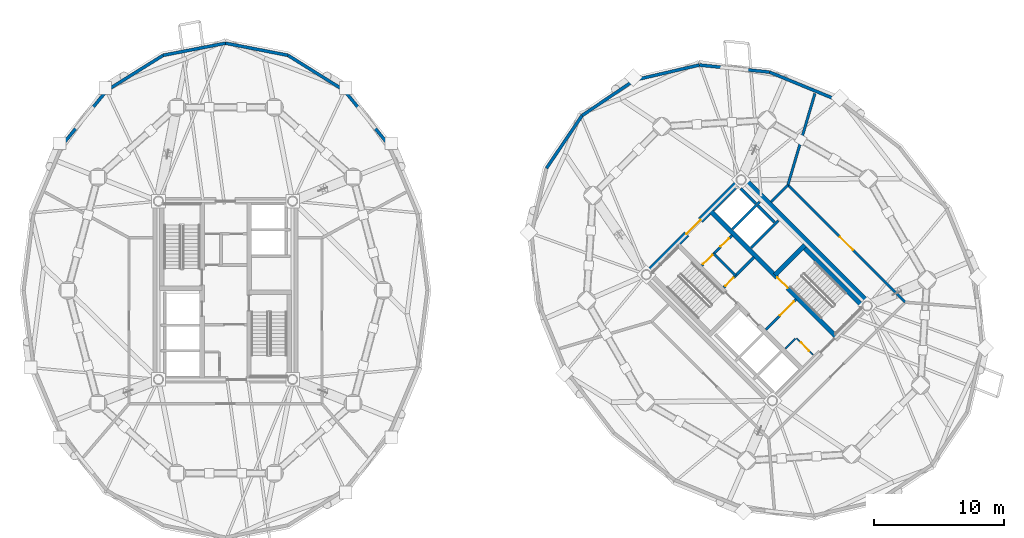
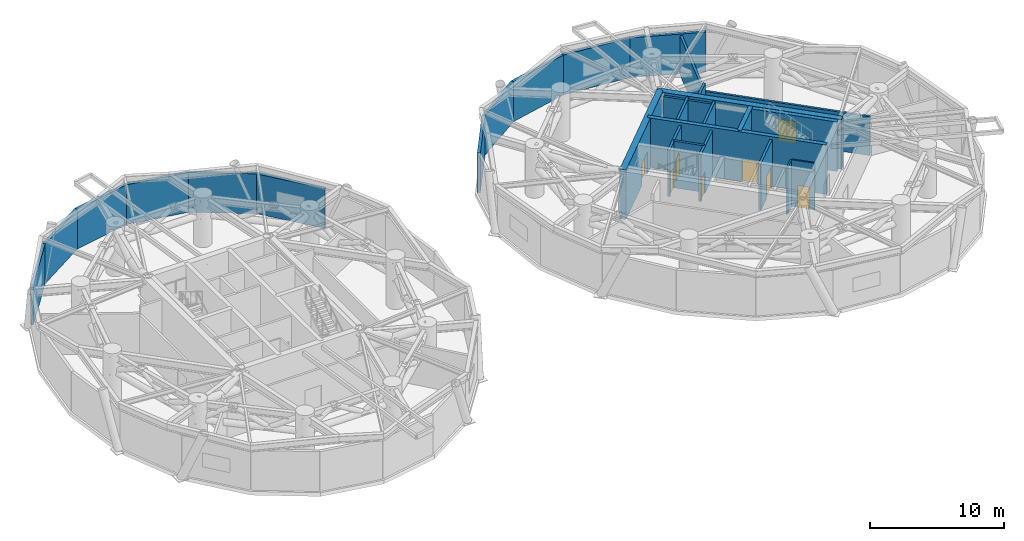
# One storey, part 12 of 16: 29 walls, 8 doors, 8 openings.
"""IFC4 building model written with IfcOpenShell, lengths in metres."""

from ifc_helpers import new_model, si_unit, direction, frame, frame_2d, origin, place, context, subcontext, project, spatial, rectangle, extrude, source, transform, mapped, material, layer, layer_set, type_object, element, fill, save


model = new_model("IFC4")

# Units and contexts
model_context = context("Model", 3, precision=1e-05, world=origin(), true_north=direction((0.0, 1.0)))
body_context = subcontext(model_context, "Body", "Model", "MODEL_VIEW")
ifc_project = project(units=[si_unit("LENGTHUNIT", "METRE"), si_unit("AREAUNIT", "SQUARE_METRE"), si_unit("VOLUMEUNIT", "CUBIC_METRE"), si_unit("PLANEANGLEUNIT", "RADIAN"), si_unit("MASSUNIT", "GRAM", prefix="KILO")], contexts=[model_context])

# Site, building, storey
site_placement = place(None, origin())
site = spatial("IfcSite", under=ifc_project, at=site_placement, CompositionType="ELEMENT")
building_placement = place(site_placement, origin())
building = spatial("IfcBuilding", under=site, at=building_placement, Name="Cununo Teusaquillo Station Towers", CompositionType="ELEMENT")
storey_placement = place(building_placement, frame((0.0, 0.0, 65.64990234375)))
storey = spatial("IfcBuildingStorey", under=building, at=storey_placement, Name="L20", CompositionType="ELEMENT", Elevation=65.64990234375)

# Walls
ifc_material_1 = material(Name="Concrete C50/60", Category="concrete")
ifc_layer_1 = layer(ifc_material_1, 0.199951171875)
ifc_layer_set_1 = layer_set([ifc_layer_1], Name="Concrete C50/60")
wall_type_1 = type_object("IfcWallType", Name="WL-CORE-200", PredefinedType="SHEAR", material=ifc_layer_set_1)
wall_1_placement = place(storey_placement, frame((57.0615234375, 27.781005859375, 0.0), z_axis=(0.0, 0.0, 1.0), x_axis=(0.707106781187, 0.707106781187, 0.0)))
element("IfcWall", 1, at=wall_1_placement, inside=storey, type_object=wall_type_1, Name="L20 Tower B Low-Rise Lift Hoistway South Shear Wall", PredefinedType="SHEAR", context=body_context, shape_type="SweptSolid", body=[
    extrude(rectangle(XDim=2.969970703125, YDim=0.199951171875, at=frame_2d((1.48486328125, 0.0))), origin(), (0.0, 0.0, 1.0), 4.5),
])
wall_2_placement = place(storey_placement, frame((55.615478515625, 29.22705078125, 0.0), z_axis=(0.0, 0.0, 1.0), x_axis=(0.707147878904, 0.70706568108, 0.0)))
element("IfcWall", 2, at=wall_2_placement, inside=storey, type_object=wall_type_1, Name="L20 Tower B Low-Rise Lift Hoistway Divider Shear Wall", PredefinedType="SHEAR", context=body_context, shape_type="SweptSolid", body=[
    extrude(rectangle(XDim=2.97021484375, YDim=0.199951171875, at=frame_2d((1.485107421875, 0.0))), origin(), (0.0, 0.0, 1.0), 4.5),
])
wall_3_placement = place(storey_placement, frame((58.86474609375, 29.75390625, 0.0), z_axis=(0.0, 0.0, 1.0), x_axis=(-0.707174411312, 0.707039144592, 0.0)))
element("IfcWall", 3, at=wall_3_placement, inside=storey, type_object=wall_type_1, Name="L20 Tower B Low-Rise Lift 1 Shaft Rear Shear Wall", PredefinedType="SHEAR", context=body_context, shape_type="SweptSolid", body=[
    extrude(rectangle(XDim=1.804931640625, YDim=0.199951171875, at=frame_2d((0.90234375, 0.0))), origin(), (0.0, 0.0, 1.0), 4.5),
])
wall_4_placement = place(storey_placement, frame((57.418701171875, 31.19970703125, 0.0), z_axis=(0.0, 0.0, 1.0), x_axis=(-0.707032117043, 0.707181437447, 0.0)))
element("IfcWall", 4, at=wall_4_placement, inside=storey, type_object=wall_type_1, Name="L20 Tower B Low-Rise Lift 2 Shaft Rear Shear Wall", PredefinedType="SHEAR", context=body_context, shape_type="SweptSolid", body=[
    extrude(rectangle(XDim=1.635009765625, YDim=0.199951171875, at=frame_2d((0.8173828125, 0.0))), origin(), (0.0, 0.0, 1.0), 4.5),
])

# Wall, opening, door
ifc_material_2 = material(Name="Concrete C50/60", Category="concrete")
ifc_layer_2 = layer(ifc_material_2, 0.35009765625)
ifc_layer_set_2 = layer_set([ifc_layer_2], Name="Concrete C50/60")
wall_type_2 = type_object("IfcWallType", Name="WL-CORE-350", PredefinedType="SHEAR", material=ifc_layer_set_2)
wall_5_placement = place(storey_placement, frame((63.662353515625, 20.904296875, 0.0), z_axis=(0.0, 0.0, 1.0), x_axis=(-0.707106781187, 0.707106781187, 0.0)))
wall_5 = element("IfcWall", 5, at=wall_5_placement, inside=storey, type_object=wall_type_2, Name="L20 Tower B Core Shear Wall IE", PredefinedType="SHEAR", context=body_context, shape_type="SweptSolid", body=[
    extrude(rectangle(XDim=13.800048828125, YDim=0.35009765625, at=frame_2d((6.89990234375, 0.0))), origin(), (0.0, 0.0, 1.0), 4.5),
])
shared_shape_1 = source(origin(), body_context, "Body", "SweptSolid", [
    extrude(rectangle(XDim=1.14990234375, YDim=2.02001953125, at=frame_2d((0.574951171875, 1.010009765625))), frame((0.0, 0.18505859375, 0.0), z_axis=(0.0, -1.0, 0.0), x_axis=(1.0, 0.0, 0.0)), (0.0, 0.0, 1.0), 0.3701171875),
])
opening_1_placement = place(wall_5_placement, frame((5.330078125, 0.0, 0.0)))
opening_1 = element("IfcOpeningElement", 6, at=opening_1_placement, cuts=wall_5, Name="Opening D-ST1", PredefinedType="OPENING", context=body_context, shape_type="MappedRepresentation", body=[
    mapped(shared_shape_1, transform((0.0, 0.0, 0.0), x_axis=(1.0, 0.0, 0.0), y_axis=(0.0, 1.0, 0.0), z_axis=(0.0, 0.0, 1.0), scale=1.0)),
])
ifc_material_3 = material(Name="Galvanised fire-rated hollow steel door assembly", Category="steel")
door_type_1 = type_object("IfcDoorType", Name="DR-STAIR-1150", OperationType="NOTDEFINED", PredefinedType="DOOR", material=ifc_material_3)
shared_shape_2 = source(origin(), body_context, "Body", "SweptSolid", [
    extrude(rectangle(XDim=1.14990234375, YDim=2.02001953125, at=frame_2d((0.574951171875, 1.010009765625))), frame((0.0, 0.02490234375, 0.0), z_axis=(0.0, -1.0, 0.0), x_axis=(1.0, 0.0, 0.0)), (0.0, 0.0, 1.0), 0.050048828125),
])
door_1_placement = place(opening_1_placement, origin())
door_1 = element("IfcDoor", 7, at=door_1_placement, inside=storey, type_object=door_type_1, Name="L20 Tower B Exit Stair 2 Fire Door", OperationType="SINGLE_SWING_LEFT", OverallHeight=2.02001953125, OverallWidth=1.14990234375, PredefinedType="DOOR", context=body_context, shape_type="MappedRepresentation", body=[
    mapped(shared_shape_2, transform((0.0, 0.0, 0.0), x_axis=(1.0, 0.0, 0.0), y_axis=(0.0, 1.0, 0.0), z_axis=(0.0, 0.0, 1.0), scale=1.0)),
])
fill(opening_1, door_1)

# Walls
wall_6_placement = place(storey_placement, frame((65.847412109375, 23.08935546875, 0.0), z_axis=(0.0, 0.0, 1.0), x_axis=(-0.707106781187, 0.707106781187, 0.0)))
element("IfcWall", 8, at=wall_6_placement, inside=storey, type_object=wall_type_2, Name="L20 Tower B Core Shear Wall ST2E", PredefinedType="SHEAR", context=body_context, shape_type="SweptSolid", body=[
    extrude(rectangle(XDim=6.7451171875, YDim=0.35009765625, at=frame_2d((3.37255859375, 0.0))), origin(), (0.0, 0.0, 1.0), 4.5),
])
wall_7_placement = place(storey_placement, frame((58.89306640625, 25.673828125, 0.0), z_axis=(0.0, 0.0, 1.0), x_axis=(0.707106781187, 0.707106781187, 0.0)))
element("IfcWall", 9, at=wall_7_placement, inside=storey, type_object=wall_type_2, Name="L20 Tower B Core Shear Wall ST2N", PredefinedType="SHEAR", context=body_context, shape_type="SweptSolid", body=[
    extrude(rectangle(XDim=3.284912109375, YDim=0.35009765625, at=frame_2d((1.642578125, 0.0))), origin(), (0.0, 0.0, 1.0), 4.5),
])
ifc_material_4 = material(Name="Concrete C60/75", Category="concrete")
ifc_layer_3 = layer(ifc_material_4, 0.5)
ifc_layer_set_3 = layer_set([ifc_layer_3], Name="Concrete C60/75")
wall_type_3 = type_object("IfcWallType", Name="WL-CORE-500", PredefinedType="SHEAR", material=ifc_layer_set_3)
wall_8_placement = place(storey_placement, frame((66.3388671875, 23.227294921875, 0.0), z_axis=(0.0, 0.0, 1.0), x_axis=(-0.707106781187, 0.707106781187, 0.0)))
element("IfcWall", 10, at=wall_8_placement, inside=storey, type_object=wall_type_3, Name="L20 Tower B Core Shear Wall E", PredefinedType="SHEAR", context=body_context, shape_type="SweptSolid", body=[
    extrude(rectangle(XDim=14.2998046875, YDim=0.5, at=frame_2d((7.14990234375, 0.0))), origin(), (0.0, 0.0, 1.0), 4.5),
])

# Wall, opening, door
wall_9_placement = place(storey_placement, frame((48.837890625, 25.595947265625, 0.0), z_axis=(0.0, 0.0, 1.0), x_axis=(0.707106781187, 0.707106781187, 0.0)))
wall_9 = element("IfcWall", 11, at=wall_9_placement, inside=storey, type_object=wall_type_3, Name="L20 Tower B Core Shear Wall N", PredefinedType="SHEAR", context=body_context, shape_type="SweptSolid", body=[
    extrude(rectangle(XDim=10.7001953125, YDim=0.5, at=frame_2d((5.35009765625, 0.0))), origin(), (0.0, 0.0, 1.0), 4.5),
])
shared_shape_3 = source(origin(), body_context, "Body", "SweptSolid", [
    extrude(rectangle(XDim=1.5, YDim=2.02001953125, at=frame_2d((0.75, 1.010009765625))), frame((0.0, 0.260009765625, 0.0), z_axis=(0.0, -1.0, 0.0), x_axis=(1.0, 0.0, 0.0)), (0.0, 0.0, 1.0), 0.52001953125),
])
opening_2_placement = place(wall_9_placement, frame((4.60009765625, 0.0, 0.0)))
opening_2 = element("IfcOpeningElement", 12, at=opening_2_placement, cuts=wall_9, Name="Opening D-LB1", PredefinedType="OPENING", context=body_context, shape_type="MappedRepresentation", body=[
    mapped(shared_shape_3, transform((0.0, 0.0, 0.0), x_axis=(1.0, 0.0, 0.0), y_axis=(0.0, 1.0, 0.0), z_axis=(0.0, 0.0, 1.0), scale=1.0)),
])
ifc_material_5 = material(Name="Galvanised fire-rated hollow steel door assembly", Category="steel")
door_type_2 = type_object("IfcDoorType", Name="DR-LOBBY-1500", OperationType="DOUBLE_DOOR_SINGLE_SWING", PredefinedType="DOOR", material=ifc_material_5)
shared_shape_4 = source(origin(), body_context, "Body", "SweptSolid", [
    extrude(rectangle(XDim=1.5, YDim=2.02001953125, at=frame_2d((0.75, 1.010009765625))), frame((0.0, 0.02490234375, 0.0), z_axis=(0.0, -1.0, 0.0), x_axis=(1.0, 0.0, 0.0)), (0.0, 0.0, 1.0), 0.050048828125),
])
door_2_placement = place(opening_2_placement, origin())
door_2 = element("IfcDoor", 13, at=door_2_placement, inside=storey, type_object=door_type_2, Name="L20 Tower B North Core Lift Lobby Door", OperationType="DOUBLE_DOOR_SINGLE_SWING", OverallHeight=2.02001953125, OverallWidth=1.5, PredefinedType="DOOR", context=body_context, shape_type="MappedRepresentation", body=[
    mapped(shared_shape_4, transform((0.0, 0.0, 0.0), x_axis=(1.0, 0.0, 0.0), y_axis=(0.0, 1.0, 0.0), z_axis=(0.0, 0.0, 1.0), scale=1.0)),
])
fill(opening_2, door_2)

# Walls
ifc_material_6 = material(Name="Precast concrete C40/50", Category="concrete")
ifc_layer_4 = layer(ifc_material_6, 0.239990234375)
ifc_layer_set_4 = layer_set([ifc_layer_4], Name="Precast concrete C40/50")
wall_type_4 = type_object("IfcWallType", Name="WL-EXT-240", PredefinedType="SOLIDWALL", material=ifc_layer_set_4)
wall_10_placement = place(storey_placement, frame((25.658203125, 39.927978515625, 0.0), z_axis=(0.0, 0.0, 1.0), x_axis=(0.632700781152, -0.77439635945, 0.0)))
element("IfcWall", 14, at=wall_10_placement, inside=storey, type_object=wall_type_4, Name="L20 Tower A Exterior Facade Wall C02", PredefinedType="SOLIDWALL", context=body_context, shape_type="SweptSolid", body=[
    extrude(rectangle(XDim=5.447998046875, YDim=0.239990234375, at=frame_2d((2.72412109375, 0.0))), origin(), (0.0, 0.0, 1.0), 3.6162109375),
])
wall_11_placement = place(storey_placement, frame((21.314697265625, 42.63671875, 0.0), z_axis=(0.0, 0.0, 1.0), x_axis=(0.848520380187, -0.529162701263, 0.0)))
element("IfcWall", 15, at=wall_11_placement, inside=storey, type_object=wall_type_4, Name="L20 Tower A Exterior Facade Wall C03", PredefinedType="SOLIDWALL", context=body_context, shape_type="SweptSolid", body=[
    extrude(rectangle(XDim=5.118896484375, YDim=0.239990234375, at=frame_2d((2.5595703125, 0.0))), origin(), (0.0, 0.0, 1.0), 3.6162109375),
])
for number, where, z_axis, x_axis, name in (
    (16, (16.5, 43.570068359375, 0.0), (0.0, 0.0, 1.0), (0.981723785992, -0.190311344954, 0.0), "L20 Tower A Exterior Facade Wall C04"),
    (17, (11.685302734375, 42.63671875, 0.0), (0.0, 0.0, 1.0), (0.981723785992, 0.190311344954, 0.0), "L20 Tower A Exterior Facade Wall C05"),
):
    element("IfcWall", number, at=place(storey_placement, frame(where, z_axis=z_axis, x_axis=x_axis)), inside=storey, type_object=wall_type_4, Name=name, PredefinedType="SOLIDWALL", context=body_context, shape_type="SweptSolid", body=[
        extrude(rectangle(XDim=4.904296875, YDim=0.239990234375, at=frame_2d((2.4521484375, 0.0))), origin(), (0.0, 0.0, 1.0), 3.6162109375),
    ])
wall_12_placement = place(storey_placement, frame((7.341796875, 39.927978515625, 0.0), z_axis=(0.0, 0.0, 1.0), x_axis=(0.848520380187, 0.529162701263, 0.0)))
element("IfcWall", 18, at=wall_12_placement, inside=storey, type_object=wall_type_4, Name="L20 Tower A Exterior Facade Wall C06", PredefinedType="SOLIDWALL", context=body_context, shape_type="SweptSolid", body=[
    extrude(rectangle(XDim=5.118896484375, YDim=0.239990234375, at=frame_2d((2.5595703125, 0.0))), origin(), (0.0, 0.0, 1.0), 3.6162109375),
])
wall_13_placement = place(storey_placement, frame((3.894775390625, 35.708984375, 0.0), z_axis=(0.0, 0.0, 1.0), x_axis=(0.632700781152, 0.77439635945, 0.0)))
element("IfcWall", 19, at=wall_13_placement, inside=storey, type_object=wall_type_4, Name="L20 Tower A Exterior Facade Wall C07", PredefinedType="SOLIDWALL", context=body_context, shape_type="SweptSolid", body=[
    extrude(rectangle(XDim=5.447998046875, YDim=0.239990234375, at=frame_2d((2.72412109375, 0.0))), origin(), (0.0, 0.0, 1.0), 3.6162109375),
])
wall_14_placement = place(storey_placement, frame((58.4873046875, 41.33935546875, 0.0), z_axis=(0.0, 0.0, 1.0), x_axis=(0.924563909604, -0.381027003055, 0.0)))
element("IfcWall", 20, at=wall_14_placement, inside=storey, type_object=wall_type_4, Name="L20 Tower B Exterior Facade Wall C01", PredefinedType="SOLIDWALL", context=body_context, shape_type="SweptSolid", body=[
    extrude(rectangle(XDim=5.75830078125, YDim=0.239990234375, at=frame_2d((2.879150390625, 0.0))), origin(), (0.0, 0.0, 1.0), 3.6162109375),
])
wall_15_placement = place(storey_placement, frame((53.066650390625, 41.885009765625, 0.0), z_axis=(0.0, 0.0, 1.0), x_axis=(0.994971754311, -0.10015591906, 0.0)))
element("IfcWall", 21, at=wall_15_placement, inside=storey, type_object=wall_type_4, Name="L20 Tower B Exterior Facade Wall C02", PredefinedType="SOLIDWALL", context=body_context, shape_type="SweptSolid", body=[
    extrude(rectangle(XDim=5.447998046875, YDim=0.239990234375, at=frame_2d((2.72412109375, 0.0))), origin(), (0.0, 0.0, 1.0), 3.6162109375),
])
wall_16_placement = place(storey_placement, frame((48.080078125, 40.72900390625, 0.0), z_axis=(0.0, 0.0, 1.0), x_axis=(0.974165631126, 0.225834725257, 0.0)))
element("IfcWall", 22, at=wall_16_placement, inside=storey, type_object=wall_type_4, Name="L20 Tower B Exterior Facade Wall C03", PredefinedType="SOLIDWALL", context=body_context, shape_type="SweptSolid", body=[
    extrude(rectangle(XDim=5.118896484375, YDim=0.239990234375, at=frame_2d((2.5595703125, 0.0))), origin(), (0.0, 0.0, 1.0), 3.6162109375),
])
for number, where, z_axis, x_axis, name in (
    (23, (44.015380859375, 37.984619140625, 0.0), (0.0, 0.0, 1.0), (0.828781148131, 0.559572880421, 0.0), "L20 Tower B Exterior Facade Wall C04"),
    (24, (41.27099609375, 33.919921875, 0.0), (0.0, 0.0, 1.0), (0.559572880421, 0.828781148131, 0.0), "L20 Tower B Exterior Facade Wall C05"),
):
    element("IfcWall", number, at=place(storey_placement, frame(where, z_axis=z_axis, x_axis=x_axis)), inside=storey, type_object=wall_type_4, Name=name, PredefinedType="SOLIDWALL", context=body_context, shape_type="SweptSolid", body=[
        extrude(rectangle(XDim=4.904541015625, YDim=0.239990234375, at=frame_2d((2.4521484375, 0.0))), origin(), (0.0, 0.0, 1.0), 3.6162109375),
    ])

# Wall, opening, door
ifc_material_7 = material(Name="Fire-rated gypsum plasterboard partition assembly", Category="gypsum")
ifc_layer_5 = layer(ifc_material_7, 0.125)
ifc_layer_set_5 = layer_set([ifc_layer_5], Name="Fire-rated gypsum plasterboard partition assembly")
wall_type_5 = type_object("IfcWallType", Name="WL-PART-125", PredefinedType="PARTITIONING", material=ifc_layer_set_5)
wall_17_placement = place(storey_placement, frame((61.834716796875, 19.529052734375, 0.0), z_axis=(0.0, 0.0, 1.0), x_axis=(-0.707174592913, 0.707038962956, 0.0)))
wall_17 = element("IfcWall", 25, at=wall_17_placement, inside=storey, type_object=wall_type_5, Name="L20 Tower B South-West Compact Store East Wall", PredefinedType="PARTITIONING", context=body_context, shape_type="SweptSolid", body=[
    extrude(rectangle(XDim=1.800048828125, YDim=0.125, at=frame_2d((0.89990234375, 0.0))), origin(), (0.0, 0.0, 1.0), 4.2451171875),
])
shared_shape_5 = source(origin(), body_context, "Body", "SweptSolid", [
    extrude(rectangle(XDim=0.89990234375, YDim=2.0048828125, at=frame_2d((0.449951171875, 1.00244140625))), frame((0.0, 0.072509765625, 0.0), z_axis=(0.0, -1.0, 0.0), x_axis=(1.0, 0.0, 0.0)), (0.0, 0.0, 1.0), 0.14501953125),
])
opening_3_placement = place(wall_17_placement, frame((0.419921875, 0.0, 0.0)))
opening_3 = element("IfcOpeningElement", 26, at=opening_3_placement, cuts=wall_17, Name="Opening D-SR1", PredefinedType="OPENING", context=body_context, shape_type="MappedRepresentation", body=[
    mapped(shared_shape_5, transform((0.0, 0.0, 0.0), x_axis=(1.0, 0.0, 0.0), y_axis=(0.0, 1.0, 0.0), z_axis=(0.0, 0.0, 1.0), scale=1.0)),
])
ifc_material_8 = material(Name="Galvanised fire-rated hollow steel door assembly", Category="steel")
door_type_3 = type_object("IfcDoorType", Name="DR-STORE-900", OperationType="NOTDEFINED", PredefinedType="DOOR", material=ifc_material_8)
shared_shape_6 = source(origin(), body_context, "Body", "SweptSolid", [
    extrude(rectangle(XDim=0.89990234375, YDim=2.0048828125, at=frame_2d((0.449951171875, 1.00244140625))), frame((0.0, 0.02490234375, 0.0), z_axis=(0.0, -1.0, 0.0), x_axis=(1.0, 0.0, 0.0)), (0.0, 0.0, 1.0), 0.050048828125),
])
door_3_placement = place(opening_3_placement, origin())
door_3 = element("IfcDoor", 27, at=door_3_placement, inside=storey, type_object=door_type_3, Name="L20 Tower B Core Electrical & Comms Store Door", OperationType="SINGLE_SWING_RIGHT", OverallHeight=2.0048828125, OverallWidth=0.89990234375, PredefinedType="DOOR", context=body_context, shape_type="MappedRepresentation", body=[
    mapped(shared_shape_6, transform((0.0, 0.0, 0.0), x_axis=(1.0, 0.0, 0.0), y_axis=(0.0, 1.0, 0.0), z_axis=(0.0, 0.0, 1.0), scale=1.0)),
])
fill(opening_3, door_3)

# Wall
wall_18_placement = place(storey_placement, frame((59.713134765625, 19.99560546875, 0.0), z_axis=(0.0, 0.0, 1.0), x_axis=(0.707217726, 0.706995818963, 0.0)))
element("IfcWall", 28, at=wall_18_placement, inside=storey, type_object=wall_type_5, Name="L20 Tower B South-West Compact Store North Wall", PredefinedType="PARTITIONING", context=body_context, shape_type="SweptSolid", body=[
    extrude(rectangle(XDim=1.10009765625, YDim=0.125, at=frame_2d((0.550048828125, 0.0))), origin(), (0.0, 0.0, 1.0), 4.2451171875),
])

# Wall, opening, door
ifc_material_9 = material(Name="Fire-rated gypsum plasterboard partition assembly", Category="gypsum")
ifc_layer_6 = layer(ifc_material_9, 0.179931640625)
ifc_layer_set_6 = layer_set([ifc_layer_6], Name="Fire-rated gypsum plasterboard partition assembly")
wall_type_6 = type_object("IfcWallType", Name="WL-PART-180", PredefinedType="PARTITIONING", material=ifc_layer_set_6)
wall_19_placement = place(storey_placement, frame((68.955078125, 23.580810546875, 0.0), z_axis=(0.0, 0.0, 1.0), x_axis=(-0.707106781187, 0.707106781187, 0.0)))
wall_19 = element("IfcWall", 29, at=wall_19_placement, inside=storey, type_object=wall_type_6, Name="L20 Tower B Protected Plant Corridor Wall E", PredefinedType="PARTITIONING", context=body_context, shape_type="SweptSolid", body=[
    extrude(rectangle(XDim=12.7998046875, YDim=0.179931640625, at=frame_2d((6.39990234375, 0.0))), origin(), (0.0, 0.0, 1.0), 3.5361328125),
])
shared_shape_7 = source(origin(), body_context, "Body", "SweptSolid", [
    extrude(rectangle(XDim=1.39990234375, YDim=2.02001953125, at=frame_2d((0.699951171875, 1.010009765625))), frame((0.0, 0.099853515625, 0.0), z_axis=(0.0, -1.0, 0.0), x_axis=(1.0, 0.0, 0.0)), (0.0, 0.0, 1.0), 0.199951171875),
])
opening_4_placement = place(wall_19_placement, frame((5.699951171875, 0.0, 0.0)))
opening_4 = element("IfcOpeningElement", 30, at=opening_4_placement, cuts=wall_19, Name="Opening D-PL1", PredefinedType="OPENING", context=body_context, shape_type="MappedRepresentation", body=[
    mapped(shared_shape_7, transform((0.0, 0.0, 0.0), x_axis=(1.0, 0.0, 0.0), y_axis=(0.0, 1.0, 0.0), z_axis=(0.0, 0.0, 1.0), scale=1.0)),
])
ifc_material_10 = material(Name="Galvanised fire-rated hollow steel door assembly", Category="steel")
door_type_4 = type_object("IfcDoorType", Name="DR-PLANT-1400", OperationType="NOTDEFINED", PredefinedType="DOOR", material=ifc_material_10)
shared_shape_8 = source(origin(), body_context, "Body", "SweptSolid", [
    extrude(rectangle(XDim=1.39990234375, YDim=2.02001953125, at=frame_2d((0.699951171875, 1.010009765625))), frame((0.0, 0.02490234375, 0.0), z_axis=(0.0, -1.0, 0.0), x_axis=(1.0, 0.0, 0.0)), (0.0, 0.0, 1.0), 0.050048828125),
])
door_4_placement = place(opening_4_placement, origin())
door_4 = element("IfcDoor", 31, at=door_4_placement, inside=storey, type_object=door_type_4, Name="L20 Tower B Plant Room E Double Door", OperationType="SINGLE_SWING_RIGHT", OverallHeight=2.02001953125, OverallWidth=1.39990234375, PredefinedType="DOOR", context=body_context, shape_type="MappedRepresentation", body=[
    mapped(shared_shape_8, transform((0.0, 0.0, 0.0), x_axis=(1.0, 0.0, 0.0), y_axis=(0.0, 1.0, 0.0), z_axis=(0.0, 0.0, 1.0), scale=1.0)),
])
fill(opening_4, door_4)

ifc_material_11 = material(Name="Fire-rated gypsum plasterboard partition assembly", Category="gypsum")
ifc_layer_7 = layer(ifc_material_11, 0.199951171875)
ifc_layer_set_7 = layer_set([ifc_layer_7], Name="Fire-rated gypsum plasterboard partition assembly")
wall_type_7 = type_object("IfcWallType", Name="WL-PART-200", PredefinedType="PARTITIONING", material=ifc_layer_set_7)
wall_20_placement = place(storey_placement, frame((58.214111328125, 21.466552734375, 0.0), z_axis=(0.0, 0.0, 1.0), x_axis=(0.707106781187, 0.707106781187, 0.0)))
wall_20 = element("IfcWall", 32, at=wall_20_placement, inside=storey, type_object=wall_type_7, Name="L20 Tower B Firefighting Lift Lobby South Fire Wall", PredefinedType="PARTITIONING", context=body_context, shape_type="SweptSolid", body=[
    extrude(rectangle(XDim=3.280029296875, YDim=0.199951171875, at=frame_2d((1.64013671875, 0.0))), origin(), (0.0, 0.0, 1.0), 4.2451171875),
])
shared_shape_9 = source(origin(), body_context, "Body", "SweptSolid", [
    extrude(rectangle(XDim=1.5, YDim=2.02001953125, at=frame_2d((0.75, 1.010009765625))), frame((0.0, 0.10986328125, 0.0), z_axis=(0.0, -1.0, 0.0), x_axis=(1.0, 0.0, 0.0)), (0.0, 0.0, 1.0), 0.219970703125),
])
opening_5_placement = place(wall_20_placement, frame((1.550048828125, 0.0, 0.0)))
opening_5 = element("IfcOpeningElement", 33, at=opening_5_placement, cuts=wall_20, Name="Opening D-LB1", PredefinedType="OPENING", context=body_context, shape_type="MappedRepresentation", body=[
    mapped(shared_shape_9, transform((0.0, 0.0, 0.0), x_axis=(1.0, 0.0, 0.0), y_axis=(0.0, 1.0, 0.0), z_axis=(0.0, 0.0, 1.0), scale=1.0)),
])
door_5_placement = place(opening_5_placement, origin())
door_5 = element("IfcDoor", 34, at=door_5_placement, inside=storey, type_object=door_type_2, Name="L20 Tower B Firefighting Lift Lobby South Fire Door", OperationType="DOUBLE_DOOR_SINGLE_SWING", OverallHeight=2.02001953125, OverallWidth=1.5, PredefinedType="DOOR", context=body_context, shape_type="MappedRepresentation", body=[
    mapped(shared_shape_4, transform((0.0, 0.0, 0.0), x_axis=(1.0, 0.0, 0.0), y_axis=(0.0, 1.0, 0.0), z_axis=(0.0, 0.0, 1.0), scale=1.0)),
])
fill(opening_5, door_5)

wall_21_placement = place(storey_placement, frame((54.96142578125, 24.71923828125, 0.0), z_axis=(0.0, 0.0, 1.0), x_axis=(0.707106781187, 0.707106781187, 0.0)))
wall_21 = element("IfcWall", 35, at=wall_21_placement, inside=storey, type_object=wall_type_7, Name="L20 Tower B Firefighting Lift Lobby North Fire Wall", PredefinedType="PARTITIONING", context=body_context, shape_type="SweptSolid", body=[
    extrude(rectangle(XDim=3.280029296875, YDim=0.199951171875, at=frame_2d((1.64013671875, 0.0))), origin(), (0.0, 0.0, 1.0), 4.2451171875),
])
shared_shape_10 = source(origin(), body_context, "Body", "SweptSolid", [
    extrude(rectangle(XDim=0.89990234375, YDim=2.0048828125, at=frame_2d((0.449951171875, 1.00244140625))), frame((0.0, 0.10986328125, 0.0), z_axis=(0.0, -1.0, 0.0), x_axis=(1.0, 0.0, 0.0)), (0.0, 0.0, 1.0), 0.219970703125),
])
opening_6_placement = place(wall_21_placement, frame((0.159912109375, 0.0, 0.0)))
opening_6 = element("IfcOpeningElement", 36, at=opening_6_placement, cuts=wall_21, Name="Opening D-SR1", PredefinedType="OPENING", context=body_context, shape_type="MappedRepresentation", body=[
    mapped(shared_shape_10, transform((0.0, 0.0, 0.0), x_axis=(1.0, 0.0, 0.0), y_axis=(0.0, 1.0, 0.0), z_axis=(0.0, 0.0, 1.0), scale=1.0)),
])
door_6_placement = place(opening_6_placement, origin())
door_6 = element("IfcDoor", 37, at=door_6_placement, inside=storey, type_object=door_type_3, Name="L20 Tower B Stair 1 Protected Vestibule South Door", OperationType="SINGLE_SWING_RIGHT", OverallHeight=2.0048828125, OverallWidth=0.89990234375, PredefinedType="DOOR", context=body_context, shape_type="MappedRepresentation", body=[
    mapped(shared_shape_6, transform((0.0, 0.0, 0.0), x_axis=(1.0, 0.0, 0.0), y_axis=(0.0, 1.0, 0.0), z_axis=(0.0, 0.0, 1.0), scale=1.0)),
])
fill(opening_6, door_6)

# Wall
wall_22_placement = place(storey_placement, frame((55.873779296875, 25.63134765625, 0.0), z_axis=(0.0, 0.0, 1.0), x_axis=(-0.707157639372, 0.707055919343, 0.0)))
element("IfcWall", 38, at=wall_22_placement, inside=storey, type_object=wall_type_7, Name="L20 Tower B Stair 1 Vestibule Partition Wall", PredefinedType="PARTITIONING", context=body_context, shape_type="SweptSolid", body=[
    extrude(rectangle(XDim=2.400146484375, YDim=0.199951171875, at=frame_2d((1.2001953125, 0.0))), origin(), (0.0, 0.0, 1.0), 4.2451171875),
])

# Wall, openings, doors
wall_23_placement = place(storey_placement, frame((53.264404296875, 26.416259765625, 0.0), z_axis=(0.0, 0.0, 1.0), x_axis=(0.707106781187, 0.707106781187, 0.0)))
wall_23 = element("IfcWall", 39, at=wall_23_placement, inside=storey, type_object=wall_type_7, Name="L20 Tower B North Lift Lobby South Fire Wall", PredefinedType="PARTITIONING", context=body_context, shape_type="SweptSolid", body=[
    extrude(rectangle(XDim=3.280029296875, YDim=0.199951171875, at=frame_2d((1.64013671875, 0.0))), origin(), (0.0, 0.0, 1.0), 4.2451171875),
])
shared_shape_11 = source(origin(), body_context, "Body", "SweptSolid", [
    extrude(rectangle(XDim=1.0, YDim=2.014892578125, at=frame_2d((0.5, 1.00732421875))), frame((0.0, 0.10986328125, 0.0), z_axis=(0.0, -1.0, 0.0), x_axis=(1.0, 0.0, 0.0)), (0.0, 0.0, 1.0), 0.219970703125),
])
opening_7_placement = place(wall_23_placement, frame((0.139892578125, 0.0, 0.0)))
opening_7 = element("IfcOpeningElement", 40, at=opening_7_placement, cuts=wall_23, Name="Opening D-AC1", PredefinedType="OPENING", context=body_context, shape_type="MappedRepresentation", body=[
    mapped(shared_shape_11, transform((0.0, 0.0, 0.0), x_axis=(1.0, 0.0, 0.0), y_axis=(0.0, 1.0, 0.0), z_axis=(0.0, 0.0, 1.0), scale=1.0)),
])
opening_8_placement = place(wall_23_placement, frame((2.050048828125, 0.0, 0.0)))
opening_8 = element("IfcOpeningElement", 41, at=opening_8_placement, cuts=wall_23, Name="Opening D-SR1", PredefinedType="OPENING", context=body_context, shape_type="MappedRepresentation", body=[
    mapped(shared_shape_10, transform((0.0, 0.0, 0.0), x_axis=(1.0, 0.0, 0.0), y_axis=(0.0, 1.0, 0.0), z_axis=(0.0, 0.0, 1.0), scale=1.0)),
])
door_7_placement = place(opening_8_placement, origin())
door_7 = element("IfcDoor", 42, at=door_7_placement, inside=storey, type_object=door_type_3, Name="L20 Tower B Core Housekeeping & Linen Store Door", OperationType="SINGLE_SWING_LEFT", OverallHeight=2.0048828125, OverallWidth=0.89990234375, PredefinedType="DOOR", context=body_context, shape_type="MappedRepresentation", body=[
    mapped(shared_shape_6, transform((0.0, 0.0, 0.0), x_axis=(1.0, 0.0, 0.0), y_axis=(0.0, 1.0, 0.0), z_axis=(0.0, 0.0, 1.0), scale=1.0)),
])
fill(opening_8, door_7)
ifc_material_12 = material(Name="Acoustic solid-core hardwood leaf assembly", Category="wood")
door_type_5 = type_object("IfcDoorType", Name="DR-ACC-1000", OperationType="NOTDEFINED", PredefinedType="DOOR", material=ifc_material_12)
shared_shape_12 = source(origin(), body_context, "Body", "SweptSolid", [
    extrude(rectangle(XDim=1.0, YDim=2.014892578125, at=frame_2d((0.5, 1.00732421875))), frame((0.0, 0.02490234375, 0.0), z_axis=(0.0, -1.0, 0.0), x_axis=(1.0, 0.0, 0.0)), (0.0, 0.0, 1.0), 0.050048828125),
])
door_8_placement = place(opening_7_placement, origin())
door_8 = element("IfcDoor", 43, at=door_8_placement, inside=storey, type_object=door_type_5, Name="L20 Tower B North Lift Lobby to Stair 1 Vestibule Door", OperationType="SINGLE_SWING_LEFT", OverallHeight=2.014892578125, OverallWidth=1.0, PredefinedType="DOOR", context=body_context, shape_type="MappedRepresentation", body=[
    mapped(shared_shape_12, transform((0.0, 0.0, 0.0), x_axis=(1.0, 0.0, 0.0), y_axis=(0.0, 1.0, 0.0), z_axis=(0.0, 0.0, 1.0), scale=1.0)),
])
fill(opening_7, door_8)

# Walls
wall_24_placement = place(storey_placement, frame((58.595947265625, 31.323486328125, 0.0), z_axis=(0.0, 0.0, 1.0), x_axis=(0.707172758026, 0.707040798191, 0.0)))
element("IfcWall", 44, at=wall_24_placement, inside=storey, type_object=wall_type_7, Name="L20 Tower B Sky Refuge Smoke-Stop Wall NE", PredefinedType="PARTITIONING", context=body_context, shape_type="SweptSolid", body=[
    extrude(rectangle(XDim=1.85009765625, YDim=0.199951171875, at=frame_2d((0.925048828125, 0.0))), origin(), (0.0, 0.0, 1.0), 4.2451171875),
])
wall_25_placement = place(storey_placement, frame((59.904296875, 32.631591796875, 0.0), z_axis=(0.0, 0.0, 1.0), x_axis=(0.283507163187, 0.958970118628, 0.0)))
element("IfcWall", 45, at=wall_25_placement, inside=storey, type_object=wall_type_7, Name="L20 Tower B Compartment Radial Fire Wall Q2", PredefinedType="PARTITIONING", context=body_context, shape_type="SweptSolid", body=[
    extrude(rectangle(XDim=7.3525390625, YDim=0.199951171875, at=frame_2d((3.67626953125, 0.0))), origin(), (0.0, 0.0, 1.0), 3.5361328125),
])

save(model, "model.ifc")
